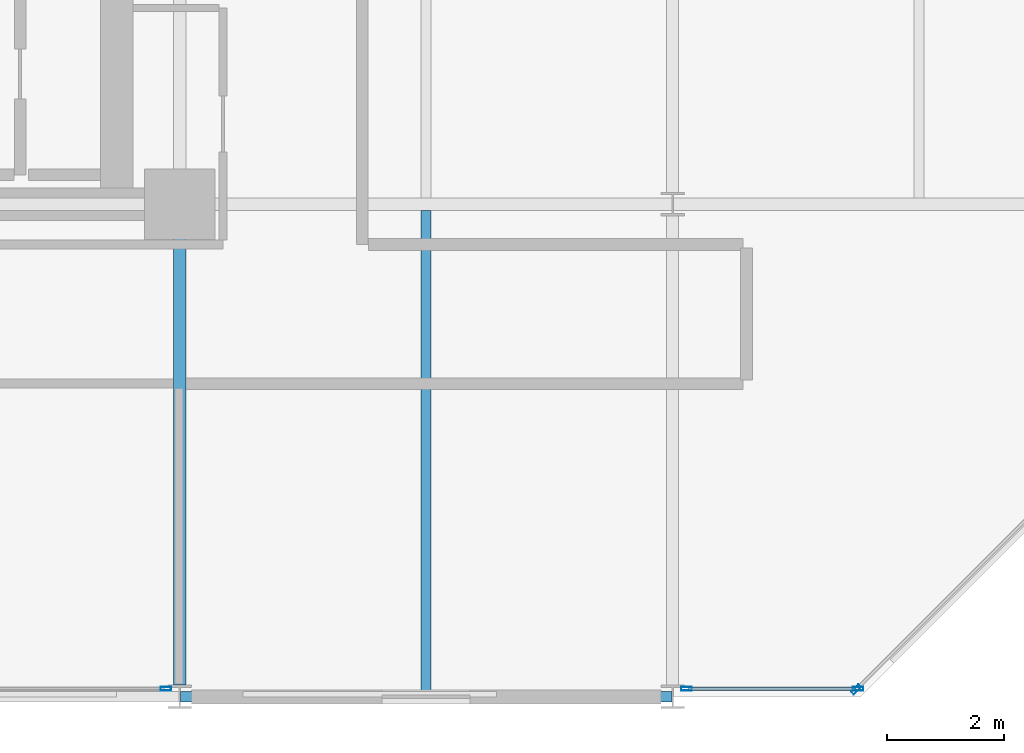
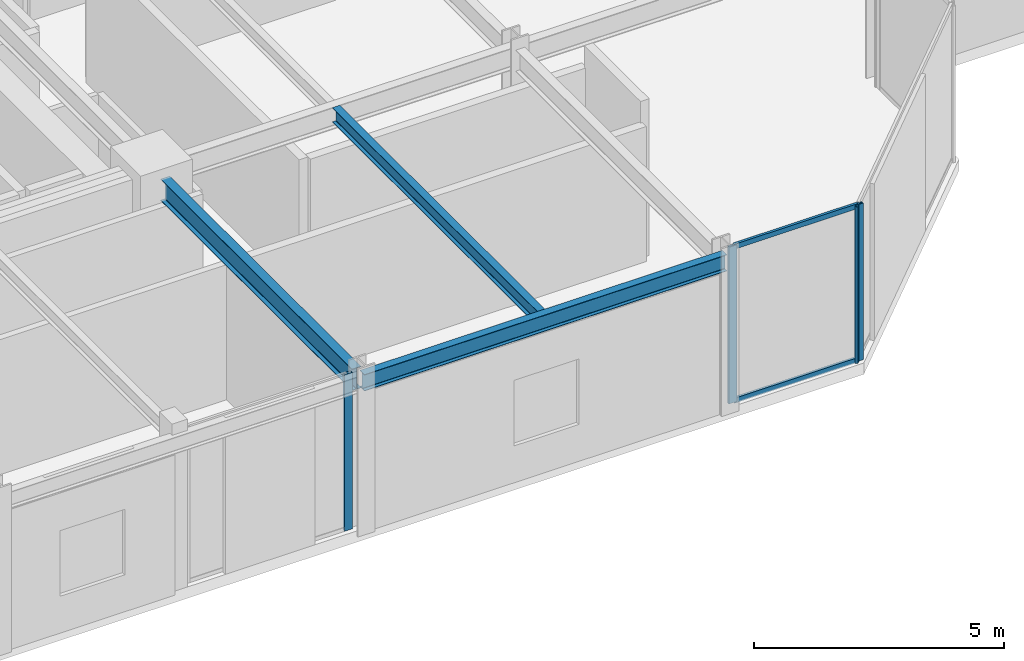
# One storey, part 16 of 38: 6 members, 3 beams, 3 elements without a shape of their own.
"""IFC4 building model written with IfcOpenShell, lengths in metres."""

from ifc_helpers import new_model, si_unit, direction, frame, origin, origin_2d, place, context, subcontext, project, spatial, hollow_rectangle, i_section, extrude, material, layer, layer_set, material_profile, profile_set, type_object, element, aggregate, save


model = new_model("IFC4")

# Units and contexts
model_context = context("Model", 3, precision=1e-05, world=origin(), true_north=direction((0.0, 1.0)))
body_context = subcontext(model_context, "Body", "Model", "MODEL_VIEW")
ifc_project = project(units=[si_unit("LENGTHUNIT", "METRE"), si_unit("AREAUNIT", "SQUARE_METRE"), si_unit("VOLUMEUNIT", "CUBIC_METRE"), si_unit("PLANEANGLEUNIT", "RADIAN"), si_unit("MASSUNIT", "GRAM", prefix="KILO")], contexts=[model_context])

# Site, building, storey
site_placement = place(None, origin())
site = spatial("IfcSite", under=ifc_project, at=site_placement, CompositionType="ELEMENT")
building_placement = place(site_placement, origin())
building = spatial("IfcBuilding", under=site, at=building_placement, Name="Nerrivon Quay Data Exchange", CompositionType="ELEMENT")
storey_placement = place(building_placement, frame((0.0, 0.0, 96.699951171875)))
storey = spatial("IfcBuildingStorey", under=building, at=storey_placement, Name="L22", CompositionType="ELEMENT", Elevation=96.699951171875)

# Beams
ifc_material_1 = material(Name="Steel Grade 350", Category="steel")
ifc_material_profile_1 = material_profile(ifc_material_1, i_section(OverallWidth=0.208984375, OverallDepth=0.528076171875, WebThickness=0.009521484375, FlangeThickness=0.01318359375, FilletRadius=0.013916015625, at=origin_2d()), Name="530UB82.0")
ifc_profile_set_1 = profile_set([ifc_material_profile_1], Name="Steel Grade 350")
beam_type_1 = type_object("IfcBeamType", Name="BM-G4-530UB82", PredefinedType="BEAM", material=ifc_profile_set_1)
beam_1_placement = place(storey_placement, frame((33.60009765625, 0.199951171875, 3.56103515625), z_axis=(0.0, 1.0, 0.0), x_axis=(-1.0, 0.0, 0.0)))
element("IfcBeam", 1, at=beam_1_placement, inside=storey, type_object=beam_type_1, Name="L22 NS Girder X=33.6 (0.0..8.4)", PredefinedType="BEAM", context=body_context, shape_type="SweptSolid", body=[
    extrude(i_section(OverallWidth=0.208984375, OverallDepth=0.528076171875, WebThickness=0.009521484375, FlangeThickness=0.01318359375, FilletRadius=0.013916015625, at=origin_2d()), origin(), (0.0, 0.0, 1.0), 7.66015625),
])
ifc_material_profile_2 = material_profile(ifc_material_1, i_section(OverallWidth=0.1708984375, OverallDepth=0.35595703125, WebThickness=0.00732421875, FlangeThickness=0.011474609375, FilletRadius=0.011474609375, at=origin_2d()), Name="360UB50.7")
ifc_profile_set_2 = profile_set([ifc_material_profile_2], Name="Steel Grade 350")
beam_type_2 = type_object("IfcBeamType", Name="BM-J4-360UB51", PredefinedType="JOIST", material=ifc_profile_set_2)
beam_2_placement = place(storey_placement, frame((37.800048828125, 0.089111328125, 3.64697265625), z_axis=(0.0, 1.0, 0.0), x_axis=(-1.0, 0.0, 0.0)))
element("IfcBeam", 2, at=beam_2_placement, inside=storey, type_object=beam_type_2, Name="L22 Secondary Joist X=37.8 (0.0..8.4)", PredefinedType="JOIST", context=body_context, shape_type="SweptSolid", body=[
    extrude(i_section(OverallWidth=0.1708984375, OverallDepth=0.35595703125, WebThickness=0.00732421875, FlangeThickness=0.011474609375, FilletRadius=0.011474609375, at=origin_2d()), origin(), (0.0, 0.0, 1.0), 8.206298828125),
])
ifc_material_profile_3 = material_profile(ifc_material_1, i_section(OverallWidth=0.177978515625, OverallDepth=0.403076171875, WebThickness=0.007568359375, FlangeThickness=0.010986328125, FilletRadius=0.011474609375, at=origin_2d()), Name="410UB53.7")
ifc_profile_set_3 = profile_set([ifc_material_profile_3], Name="Steel Grade 350")
beam_type_3 = type_object("IfcBeamType", Name="BM-SP2-410UB54", PredefinedType="SPANDREL", material=ifc_profile_set_3)
beam_3_placement = place(storey_placement, frame((33.612548828125, 0.0, 3.62353515625), z_axis=(1.0, 0.0, 0.0), x_axis=(0.0, 1.0, 0.0)))
element("IfcBeam", 3, at=beam_3_placement, inside=storey, type_object=beam_type_3, Name="L22 EW Girder Y=0.0 (33.6..42.0)", PredefinedType="SPANDREL", context=body_context, shape_type="SweptSolid", body=[
    extrude(i_section(OverallWidth=0.177978515625, OverallDepth=0.403076171875, WebThickness=0.007568359375, FlangeThickness=0.010986328125, FilletRadius=0.011474609375, at=origin_2d()), origin(), (0.0, 0.0, 1.0), 8.375),
])

# Curtain wall, member
ifc_material_2 = material(Name="Anodised aluminium 6063-T6", Category="aluminium")
ifc_layer = layer(ifc_material_2, 0.2099609375)
ifc_layer_set = layer_set([ifc_layer], Name="Anodised aluminium 6063-T6")
curtain_wall_type = type_object("IfcCurtainWallType", Name="CW-SYS-02", PredefinedType="NOTDEFINED", material=ifc_layer_set)
curtain_wall_1_placement = place(storey_placement, origin())
curtain_wall_1 = element("IfcCurtainWall", 4, at=curtain_wall_1_placement, inside=storey, type_object=curtain_wall_type, Name="L22 Unitised Curtain Wall 5", PredefinedType="NOTDEFINED")
ifc_material_profile_4 = material_profile(ifc_material_2, hollow_rectangle(XDim=0.06494140625, YDim=0.179931640625, WallThickness=0.00341796875, at=origin_2d()), Name="ALU-MULL-180x65")
ifc_profile_set_4 = profile_set([ifc_material_profile_4], Name="Anodised aluminium 6063-T6")
member_type_1 = type_object("IfcMemberType", Name="CWM-180x65", PredefinedType="MULLION", material=ifc_profile_set_4)
member_1_placement = place(storey_placement, frame((45.12744140625, 0.12548828125, 0.0), z_axis=(0.0, 0.0, 1.0), x_axis=(0.707106781187, -0.707106781187, 0.0)))
member_1 = element("IfcMember", 5, at=member_1_placement, type_object=member_type_1, Name="CW02 mullion 2", PredefinedType="MULLION", context=body_context, shape_type="SweptSolid", body=[
    extrude(hollow_rectangle(XDim=0.06494140625, YDim=0.179931640625, WallThickness=0.00341796875, at=origin_2d()), origin(), (0.0, 0.0, 1.0), 3.824951171875),
])
aggregate(curtain_wall_1, [member_1])

# Curtain wall, members
curtain_wall_2_placement = place(storey_placement, origin())
curtain_wall_2 = element("IfcCurtainWall", 6, at=curtain_wall_2_placement, inside=storey, type_object=curtain_wall_type, Name="L22 Unitised Curtain Wall 6", PredefinedType="NOTDEFINED")
member_2_placement = place(storey_placement, frame((45.16259765625, 0.139892578125, 0.0), z_axis=(0.0, 0.0, 1.0), x_axis=(0.0, -1.0, 0.0)))
member_2 = element("IfcMember", 7, at=member_2_placement, type_object=member_type_1, Name="CW02 mullion 1", PredefinedType="MULLION", context=body_context, shape_type="SweptSolid", body=[
    extrude(hollow_rectangle(XDim=0.06494140625, YDim=0.179931640625, WallThickness=0.00341796875, at=origin_2d()), origin(), (0.0, 0.0, 1.0), 3.824951171875),
])
member_3_placement = place(storey_placement, frame((42.237548828125, 0.139892578125, 0.0), z_axis=(0.0, 0.0, 1.0), x_axis=(0.0, -1.0, 0.0)))
member_3 = element("IfcMember", 8, at=member_3_placement, type_object=member_type_1, Name="CW02 mullion 2", PredefinedType="MULLION", context=body_context, shape_type="SweptSolid", body=[
    extrude(hollow_rectangle(XDim=0.06494140625, YDim=0.179931640625, WallThickness=0.00341796875, at=origin_2d()), origin(), (0.0, 0.0, 1.0), 3.824951171875),
])

# Curtain wall, member
curtain_wall_3_placement = place(storey_placement, origin())
curtain_wall_3 = element("IfcCurtainWall", 9, at=curtain_wall_3_placement, inside=storey, type_object=curtain_wall_type, Name="L22 Unitised Curtain Wall 8", PredefinedType="NOTDEFINED")
member_4_placement = place(storey_placement, frame((33.362548828125, 0.139892578125, 0.0), z_axis=(0.0, 0.0, 1.0), x_axis=(0.0, -1.0, 0.0)))
member_4 = element("IfcMember", 10, at=member_4_placement, type_object=member_type_1, Name="CW02 mullion 1", PredefinedType="MULLION", context=body_context, shape_type="SweptSolid", body=[
    extrude(hollow_rectangle(XDim=0.06494140625, YDim=0.179931640625, WallThickness=0.00341796875, at=origin_2d()), origin(), (0.0, 0.0, 1.0), 3.824951171875),
])
aggregate(curtain_wall_3, [member_4])

# Member
ifc_material_profile_5 = material_profile(ifc_material_2, hollow_rectangle(XDim=0.06005859375, YDim=0.1201171875, WallThickness=0.003173828125, at=origin_2d()), Name="ALU-TRAN-120x60")
ifc_profile_set_5 = profile_set([ifc_material_profile_5], Name="Anodised aluminium 6063-T6")
member_type_2 = type_object("IfcMemberType", Name="CWT-120x60", PredefinedType="USERDEFINED", material=ifc_profile_set_5)
member_5_placement = place(storey_placement, frame((45.125, 0.139892578125, 0.032470703125), z_axis=(-1.0, 0.0, 0.0), x_axis=(0.0, -1.0, 0.0)))
member_5 = element("IfcMember", 11, at=member_5_placement, type_object=member_type_2, Name="CW02 transom 1.1", ObjectType="TRANSOM", PredefinedType="USERDEFINED", context=body_context, shape_type="SweptSolid", body=[
    extrude(hollow_rectangle(XDim=0.06005859375, YDim=0.1201171875, WallThickness=0.003173828125, at=origin_2d()), origin(), (0.0, 0.0, 1.0), 2.85009765625),
])

member_6_placement = place(storey_placement, frame((45.125, 0.139892578125, 3.79248046875), z_axis=(-1.0, 0.0, 0.0), x_axis=(0.0, -1.0, 0.0)))
member_6 = element("IfcMember", 12, at=member_6_placement, type_object=member_type_2, Name="CW02 transom 1.2", ObjectType="TRANSOM", PredefinedType="USERDEFINED", context=body_context, shape_type="SweptSolid", body=[
    extrude(hollow_rectangle(XDim=0.06005859375, YDim=0.1201171875, WallThickness=0.003173828125, at=origin_2d()), origin(), (0.0, 0.0, 1.0), 2.85009765625),
])

aggregate(curtain_wall_2, [member_2, member_3, member_5, member_6])

save(model, "model.ifc")
